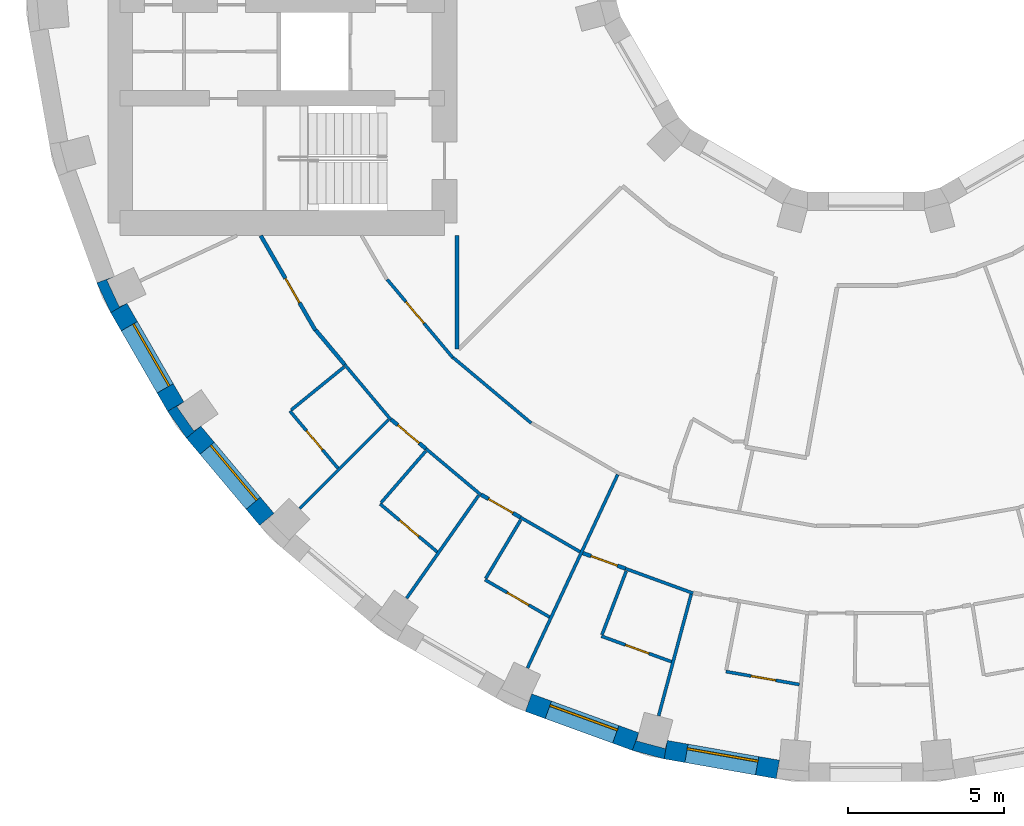
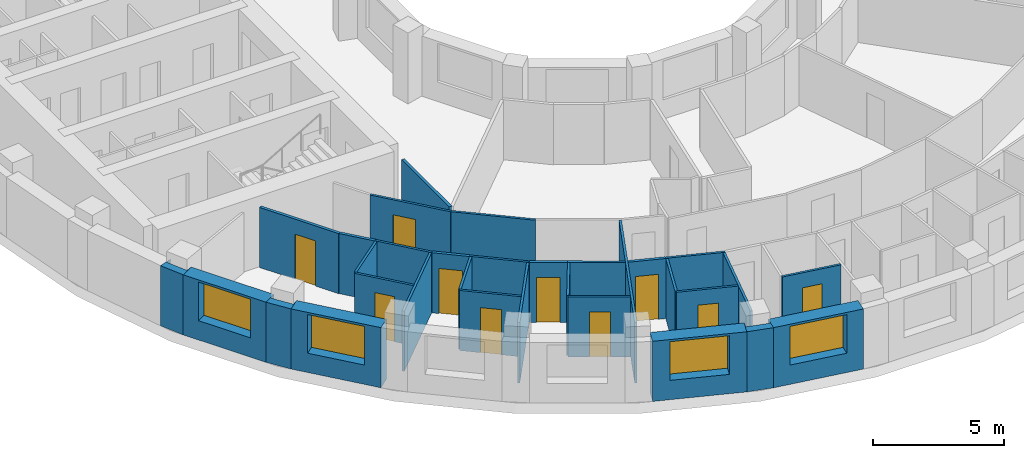
# One storey, part 4 of 14: 32 walls, 10 doors, 4 windows, 14 openings.
"""IFC4 building model written with IfcOpenShell, lengths in metres."""

from ifc_helpers import new_model, si_unit, direction, frame, frame_2d, origin, place, context, subcontext, project, spatial, polyline, rectangle, outline, extrude, material, layer, layer_set, type_object, element, fill, save


model = new_model("IFC4")

# Units and contexts
model_context = context("Model", 3, precision=1e-05, world=origin(), true_north=direction((0.0, 1.0)))
body_context = subcontext(model_context, "Body", "Model", "MODEL_VIEW")
ifc_project = project(units=[si_unit("LENGTHUNIT", "METRE"), si_unit("AREAUNIT", "SQUARE_METRE"), si_unit("VOLUMEUNIT", "CUBIC_METRE"), si_unit("PLANEANGLEUNIT", "RADIAN"), si_unit("MASSUNIT", "GRAM", prefix="KILO")], contexts=[model_context])

# Site, building, storey
site_placement = place(None, origin())
site = spatial("IfcSite", under=ifc_project, at=site_placement, CompositionType="ELEMENT")
building_placement = place(site_placement, origin())
building = spatial("IfcBuilding", under=site, at=building_placement, Name="Saqina Gate Tower", CompositionType="ELEMENT")
storey_placement = place(building_placement, frame((0.0, 0.0, 98.5)))
storey = spatial("IfcBuildingStorey", under=building, at=storey_placement, Name="L27", CompositionType="ELEMENT", Elevation=98.5)

# Walls
ifc_material_1 = material(Name="Brick masonry (buff)", Category="masonry")
wall_type_1 = type_object("IfcWallType", Name="BRICK PIER COPING BUFF", PredefinedType="SOLIDWALL", material=ifc_material_1)
wall_1_placement = place(storey_placement, origin())
element("IfcWall", 1, at=wall_1_placement, inside=storey, type_object=wall_type_1, Name="Pier cap L27 column 21", PredefinedType="SOLIDWALL", context=body_context, shape_type="SweptSolid", body=[
    extrude(outline(polyline([(-24.6513671875, -10.913330078125), (-24.205810546875, -11.869140625), (-23.68603515625, -11.569091796875), (-23.9296875, -11.6826171875), (-24.331298828125, -10.82177734375), (-24.08740234375, -10.7080078125), (-24.6513671875, -10.913330078125)])), origin(), (0.0, 0.0, 1.0), 2.800048828125),
])
wall_2_placement = place(storey_placement, origin())
element("IfcWall", 2, at=wall_2_placement, inside=storey, type_object=wall_type_1, Name="Pier cap L27 column 22", PredefinedType="SOLIDWALL", context=body_context, shape_type="SweptSolid", body=[
    extrude(outline(polyline([(-21.77685546875, -15.89208984375), (-21.317138671875, -15.50634765625), (-21.53759765625, -15.66064453125), (-22.08251953125, -14.88232421875), (-21.862060546875, -14.728271484375), (-22.3818359375, -15.0283203125), (-21.77685546875, -15.89208984375)])), origin(), (0.0, 0.0, 1.0), 2.800048828125),
])
wall_3_placement = place(storey_placement, origin())
element("IfcWall", 3, at=wall_3_placement, inside=storey, type_object=wall_type_1, Name="Pier cap L27 column 26", PredefinedType="SOLIDWALL", context=body_context, shape_type="SweptSolid", body=[
    extrude(outline(polyline([(-7.485595703125, -25.89892578125), (-6.466796875, -26.171875), (-6.36279296875, -25.5810546875), (-6.43212890625, -25.8408203125), (-7.349853515625, -25.5947265625), (-7.2802734375, -25.335205078125), (-7.485595703125, -25.89892578125)])), origin(), (0.0, 0.0, 1.0), 2.800048828125),
])

# Wall, opening, window
ifc_material_2 = material(Name="Brick masonry (buff)", Category="masonry")
ifc_layer_1 = layer(ifc_material_2, 0.60009765625)
ifc_layer_set_1 = layer_set([ifc_layer_1], Name="FW-BRICK-BUFF")
wall_type_2 = type_object("IfcWallType", Name="FW-BRICK-BUFF", PredefinedType="SOLIDWALL", material=ifc_layer_set_1)
wall_4_placement = place(storey_placement, frame((-23.94580078125, -11.718994140625, 0.0), z_axis=(0.0, 0.0, 1.0), x_axis=(0.499954196102, -0.866051847062, 0.0)))
wall_4 = element("IfcWall", 4, at=wall_4_placement, inside=storey, type_object=wall_type_2, Name="Facade wall L27 facet 21", PredefinedType="SOLIDWALL", context=body_context, shape_type="SweptSolid", body=[
    extrude(rectangle(XDim=3.647705078125, YDim=0.60009765625, at=frame_2d((1.82373046875, 0.0))), origin(), (0.0, 0.0, 1.0), 2.800048828125),
])
opening_1_placement = place(wall_4_placement, frame((0.673828125, 0.0, 0.89990234375)))
opening_1 = element("IfcOpeningElement", 5, at=opening_1_placement, cuts=wall_4, Name="Opening G07-W10", PredefinedType="OPENING", context=body_context, shape_type="SweptSolid", body=[
    extrude(rectangle(XDim=2.300048828125, YDim=1.800048828125, at=frame_2d((1.14990234375, 0.89990234375))), frame((0.0, 0.31201171875, 0.0), z_axis=(0.0, -1.0, 0.0), x_axis=(1.0, 0.0, 0.0)), (0.0, 0.0, 1.0), 0.6240234375),
])
ifc_material_3 = material(Name="Aluminium glazing", Category="aluminium")
window_type = type_object("IfcWindowType", Name="WN-B", PartitioningType="SINGLE_PANEL", PredefinedType="WINDOW", material=ifc_material_3)
window_1_placement = place(opening_1_placement, origin())
window_1 = element("IfcWindow", 6, at=window_1_placement, inside=storey, type_object=window_type, Name="Window L27 facet 21", OverallHeight=1.800048828125, OverallWidth=2.300048828125, PartitioningType="SINGLE_PANEL", PredefinedType="WINDOW", context=body_context, shape_type="SweptSolid", body=[
    extrude(rectangle(XDim=2.300048828125, YDim=1.800048828125, at=frame_2d((1.14990234375, 0.89990234375))), frame((0.0, 0.179931640625, 0.0), z_axis=(0.0, -1.0, 0.0), x_axis=(1.0, 0.0, 0.0)), (0.0, 0.0, 1.0), 0.06005859375),
])
fill(opening_1, window_1)

wall_5_placement = place(storey_placement, frame((-21.547119140625, -15.69921875, 0.0), z_axis=(0.0, 0.0, 1.0), x_axis=(0.642774476932, -0.766055462616, 0.0)))
wall_5 = element("IfcWall", 7, at=wall_5_placement, inside=storey, type_object=wall_type_2, Name="Facade wall L27 facet 22", PredefinedType="SOLIDWALL", context=body_context, shape_type="SweptSolid", body=[
    extrude(rectangle(XDim=3.647705078125, YDim=0.60009765625, at=frame_2d((1.82373046875, 0.0))), origin(), (0.0, 0.0, 1.0), 2.800048828125),
])
opening_2_placement = place(wall_5_placement, frame((0.673828125, 0.0, 0.89990234375)))
opening_2 = element("IfcOpeningElement", 8, at=opening_2_placement, cuts=wall_5, Name="Opening G07-W11", PredefinedType="OPENING", context=body_context, shape_type="SweptSolid", body=[
    extrude(rectangle(XDim=2.300048828125, YDim=1.800048828125, at=frame_2d((1.14990234375, 0.89990234375))), frame((0.0, 0.31201171875, 0.0), z_axis=(0.0, -1.0, 0.0), x_axis=(1.0, 0.0, 0.0)), (0.0, 0.0, 1.0), 0.6240234375),
])
window_2_placement = place(opening_2_placement, origin())
window_2 = element("IfcWindow", 9, at=window_2_placement, inside=storey, type_object=window_type, Name="Window L27 facet 22", OverallHeight=1.800048828125, OverallWidth=2.300048828125, PartitioningType="SINGLE_PANEL", PredefinedType="WINDOW", context=body_context, shape_type="SweptSolid", body=[
    extrude(rectangle(XDim=2.300048828125, YDim=1.800048828125, at=frame_2d((1.14990234375, 0.89990234375))), frame((0.0, 0.179931640625, 0.0), z_axis=(0.0, -1.0, 0.0), x_axis=(1.0, 0.0, 0.0)), (0.0, 0.0, 1.0), 0.06005859375),
])
fill(opening_2, window_2)

wall_6_placement = place(storey_placement, frame((-10.810791015625, -24.369384765625, 0.0), z_axis=(0.0, 0.0, 1.0), x_axis=(0.939703505393, -0.341990236633, 0.0)))
wall_6 = element("IfcWall", 10, at=wall_6_placement, inside=storey, type_object=wall_type_2, Name="Facade wall L27 facet 25", PredefinedType="SOLIDWALL", context=body_context, shape_type="SweptSolid", body=[
    extrude(rectangle(XDim=3.64794921875, YDim=0.60009765625, at=frame_2d((1.823974609375, 0.0))), origin(), (0.0, 0.0, 1.0), 2.800048828125),
])
opening_3_placement = place(wall_6_placement, frame((0.673828125, 0.0, 0.89990234375)))
opening_3 = element("IfcOpeningElement", 11, at=opening_3_placement, cuts=wall_6, Name="Opening G07-W14", PredefinedType="OPENING", context=body_context, shape_type="SweptSolid", body=[
    extrude(rectangle(XDim=2.300048828125, YDim=1.800048828125, at=frame_2d((1.14990234375, 0.89990234375))), frame((0.0, 0.31201171875, 0.0), z_axis=(0.0, -1.0, 0.0), x_axis=(1.0, 0.0, 0.0)), (0.0, 0.0, 1.0), 0.6240234375),
])
window_3_placement = place(opening_3_placement, origin())
window_3 = element("IfcWindow", 12, at=window_3_placement, inside=storey, type_object=window_type, Name="Window L27 facet 25", OverallHeight=1.800048828125, OverallWidth=2.300048828125, PartitioningType="SINGLE_PANEL", PredefinedType="WINDOW", context=body_context, shape_type="SweptSolid", body=[
    extrude(rectangle(XDim=2.300048828125, YDim=1.800048828125, at=frame_2d((1.14990234375, 0.89990234375))), frame((0.0, 0.179931640625, 0.0), z_axis=(0.0, -1.0, 0.0), x_axis=(1.0, 0.0, 0.0)), (0.0, 0.0, 1.0), 0.06005859375),
])
fill(opening_3, window_3)

wall_7_placement = place(storey_placement, frame((-6.414794921875, -25.87646484375, 0.0), z_axis=(0.0, 0.0, 1.0), x_axis=(0.984803764455, -0.173670796382, 0.0)))
wall_7 = element("IfcWall", 13, at=wall_7_placement, inside=storey, type_object=wall_type_2, Name="Facade wall L27 facet 26", PredefinedType="SOLIDWALL", context=body_context, shape_type="SweptSolid", body=[
    extrude(rectangle(XDim=3.64794921875, YDim=0.60009765625, at=frame_2d((1.823974609375, 0.0))), origin(), (0.0, 0.0, 1.0), 2.800048828125),
])
opening_4_placement = place(wall_7_placement, frame((0.673828125, 0.0, 0.89990234375)))
opening_4 = element("IfcOpeningElement", 14, at=opening_4_placement, cuts=wall_7, Name="Opening G07-W15", PredefinedType="OPENING", context=body_context, shape_type="SweptSolid", body=[
    extrude(rectangle(XDim=2.300048828125, YDim=1.800048828125, at=frame_2d((1.14990234375, 0.89990234375))), frame((0.0, 0.31201171875, 0.0), z_axis=(0.0, -1.0, 0.0), x_axis=(1.0, 0.0, 0.0)), (0.0, 0.0, 1.0), 0.6240234375),
])
window_4_placement = place(opening_4_placement, origin())
window_4 = element("IfcWindow", 15, at=window_4_placement, inside=storey, type_object=window_type, Name="Window L27 facet 26", OverallHeight=1.800048828125, OverallWidth=2.300048828125, PartitioningType="SINGLE_PANEL", PredefinedType="WINDOW", context=body_context, shape_type="SweptSolid", body=[
    extrude(rectangle(XDim=2.300048828125, YDim=1.800048828125, at=frame_2d((1.14990234375, 0.89990234375))), frame((0.0, 0.179931640625, 0.0), z_axis=(0.0, -1.0, 0.0), x_axis=(1.0, 0.0, 0.0)), (0.0, 0.0, 1.0), 0.06005859375),
])
fill(opening_4, window_4)

# Wall, opening, door
ifc_material_4 = material(Name="Gypsum board on steel studs, 100 mm", Category="steel")
ifc_layer_2 = layer(ifc_material_4, 0.10009765625)
ifc_layer_set_2 = layer_set([ifc_layer_2], Name="PARTITION 100")
wall_type_3 = type_object("IfcWallType", Name="PARTITION 100", PredefinedType="PARTITIONING", material=ifc_layer_set_2)
wall_8_placement = place(storey_placement, frame((-18.4599609375, -15.02197265625, 0.0), z_axis=(0.0, 0.0, 1.0), x_axis=(0.642942941421, -0.765914077477, 0.0)))
wall_8 = element("IfcWall", 16, at=wall_8_placement, inside=storey, type_object=wall_type_3, Name="PARTITION PW3-16", PredefinedType="PARTITIONING", context=body_context, shape_type="SweptSolid", body=[
    extrude(rectangle(XDim=2.390380859375, YDim=0.10009765625, at=frame_2d((1.1953125, 0.0))), origin(), (0.0, 0.0, 1.0), 2.800048828125),
])
opening_5_placement = place(wall_8_placement, frame((0.82080078125, 0.0, 0.0)))
opening_5 = element("IfcOpeningElement", 17, at=opening_5_placement, cuts=wall_8, Name="Opening G07-D26", PredefinedType="OPENING", context=body_context, shape_type="SweptSolid", body=[
    extrude(rectangle(XDim=0.800048828125, YDim=2.10009765625, at=frame_2d((0.39990234375, 1.050048828125))), frame((0.0, 0.06201171875, 0.0), z_axis=(0.0, -1.0, 0.0), x_axis=(1.0, 0.0, 0.0)), (0.0, 0.0, 1.0), 0.1240234375),
])
ifc_material_5 = material(Name="Timber door leaf, 800 mm", Category="wood")
door_type_1 = type_object("IfcDoorType", Name="DOOR 800 TIMBER", OperationType="SINGLE_SWING_LEFT", PredefinedType="DOOR", material=ifc_material_5)
door_1_placement = place(opening_5_placement, frame((0.800048828125, 0.0, 0.0), z_axis=(0.0, 0.0, 1.0), x_axis=(-1.0, 0.0, 0.0)))
door_1 = element("IfcDoor", 18, at=door_1_placement, inside=storey, type_object=door_type_1, Name="DOOR G07-D26", OperationType="SINGLE_SWING_LEFT", OverallHeight=2.10009765625, OverallWidth=0.800048828125, PredefinedType="DOOR", context=body_context, shape_type="SweptSolid", body=[
    extrude(rectangle(XDim=0.800048828125, YDim=2.10009765625, at=frame_2d((0.39990234375, 1.050048828125))), frame((0.0, 0.02490234375, 0.0), z_axis=(0.0, -1.0, 0.0), x_axis=(1.0, 0.0, 0.0)), (0.0, 0.0, 1.0), 0.050048828125),
])
fill(opening_5, door_1)

# Wall
wall_9_placement = place(storey_placement, frame((-16.708251953125, -13.53173828125, 0.0), z_axis=(0.0, 0.0, 1.0), x_axis=(0.642762571273, -0.766065452145, 0.0)))
element("IfcWall", 19, at=wall_9_placement, inside=storey, type_object=wall_type_3, Name="PARTITION PW3-17", PredefinedType="PARTITIONING", context=body_context, shape_type="SweptSolid", body=[
    extrude(rectangle(XDim=2.306640625, YDim=0.10009765625, at=frame_2d((1.1533203125, 0.0))), origin(), (0.0, 0.0, 1.0), 2.800048828125),
])

# Wall, opening, door
wall_10_placement = place(storey_placement, frame((-15.34375, -10.80419921875, 0.0), z_axis=(0.0, 0.0, 1.0), x_axis=(0.642602374159, -0.766199836025, 0.0)))
wall_10 = element("IfcWall", 20, at=wall_10_placement, inside=storey, type_object=wall_type_3, Name="PARTITION PW3-18", PredefinedType="PARTITIONING", context=body_context, shape_type="SweptSolid", body=[
    extrude(rectangle(XDim=3.27294921875, YDim=0.10009765625, at=frame_2d((1.636474609375, 0.0))), origin(), (0.0, 0.0, 1.0), 2.800048828125),
])
opening_6_placement = place(wall_10_placement, frame((0.93603515625, 0.0, 0.0)))
opening_6 = element("IfcOpeningElement", 21, at=opening_6_placement, cuts=wall_10, Name="Opening G07-D25", PredefinedType="OPENING", context=body_context, shape_type="SweptSolid", body=[
    extrude(rectangle(XDim=0.89990234375, YDim=2.10009765625, at=frame_2d((0.449951171875, 1.050048828125))), frame((0.0, 0.06201171875, 0.0), z_axis=(0.0, -1.0, 0.0), x_axis=(1.0, 0.0, 0.0)), (0.0, 0.0, 1.0), 0.1240234375),
])
ifc_material_6 = material(Name="Timber door leaf, 900 mm", Category="wood")
door_type_2 = type_object("IfcDoorType", Name="DOOR 900 TIMBER", OperationType="SINGLE_SWING_LEFT", PredefinedType="DOOR", material=ifc_material_6)
door_2_placement = place(opening_6_placement, origin())
door_2 = element("IfcDoor", 22, at=door_2_placement, inside=storey, type_object=door_type_2, Name="DOOR G07-D25", OperationType="SINGLE_SWING_RIGHT", OverallHeight=2.10009765625, OverallWidth=0.89990234375, PredefinedType="DOOR", context=body_context, shape_type="SweptSolid", body=[
    extrude(rectangle(XDim=0.89990234375, YDim=2.10009765625, at=frame_2d((0.449951171875, 1.050048828125))), frame((0.0, 0.02490234375, 0.0), z_axis=(0.0, -1.0, 0.0), x_axis=(1.0, 0.0, 0.0)), (0.0, 0.0, 1.0), 0.050048828125),
])
fill(opening_6, door_2)

wall_11_placement = place(storey_placement, frame((-15.571044921875, -17.9990234375, 0.0), z_axis=(0.0, 0.0, 1.0), x_axis=(0.765914077477, -0.642942941421, 0.0)))
wall_11 = element("IfcWall", 23, at=wall_11_placement, inside=storey, type_object=wall_type_3, Name="PARTITION PW3-23", PredefinedType="PARTITIONING", context=body_context, shape_type="SweptSolid", body=[
    extrude(rectangle(XDim=2.390380859375, YDim=0.10009765625, at=frame_2d((1.1953125, 0.0))), origin(), (0.0, 0.0, 1.0), 2.800048828125),
])
opening_7_placement = place(wall_11_placement, frame((0.820068359375, 0.0, 0.0)))
opening_7 = element("IfcOpeningElement", 24, at=opening_7_placement, cuts=wall_11, Name="Opening G07-D28", PredefinedType="OPENING", context=body_context, shape_type="SweptSolid", body=[
    extrude(rectangle(XDim=0.800048828125, YDim=2.10009765625, at=frame_2d((0.39990234375, 1.050048828125))), frame((0.0, 0.06201171875, 0.0), z_axis=(0.0, -1.0, 0.0), x_axis=(1.0, 0.0, 0.0)), (0.0, 0.0, 1.0), 0.1240234375),
])
door_3_placement = place(opening_7_placement, frame((0.800048828125, 0.0, 0.0), z_axis=(0.0, 0.0, 1.0), x_axis=(-1.0, 0.0, 0.0)))
door_3 = element("IfcDoor", 25, at=door_3_placement, inside=storey, type_object=door_type_1, Name="DOOR G07-D28", OperationType="SINGLE_SWING_LEFT", OverallHeight=2.10009765625, OverallWidth=0.800048828125, PredefinedType="DOOR", context=body_context, shape_type="SweptSolid", body=[
    extrude(rectangle(XDim=0.800048828125, YDim=2.10009765625, at=frame_2d((0.39990234375, 1.050048828125))), frame((0.0, 0.02490234375, 0.0), z_axis=(0.0, -1.0, 0.0), x_axis=(1.0, 0.0, 0.0)), (0.0, 0.0, 1.0), 0.050048828125),
])
fill(opening_7, door_3)

# Walls
wall_12_placement = place(storey_placement, frame((-14.104248046875, -16.227783203125, 0.0), z_axis=(0.0, 0.0, 1.0), x_axis=(0.76604687987, -0.642784705669, 0.0)))
element("IfcWall", 26, at=wall_12_placement, inside=storey, type_object=wall_type_3, Name="PARTITION PW3-24", PredefinedType="PARTITIONING", context=body_context, shape_type="SweptSolid", body=[
    extrude(rectangle(XDim=2.305419921875, YDim=0.10009765625, at=frame_2d((1.15283203125, 0.0))), origin(), (0.0, 0.0, 1.0), 2.800048828125),
])
wall_13_placement = place(storey_placement, frame((-13.234619140625, -13.30517578125, 0.0), z_axis=(0.0, 0.0, 1.0), x_axis=(0.766132303871, -0.642682886784, 0.0)))
element("IfcWall", 27, at=wall_13_placement, inside=storey, type_object=wall_type_3, Name="PARTITION PW3-25", PredefinedType="PARTITIONING", context=body_context, shape_type="SweptSolid", body=[
    extrude(rectangle(XDim=3.27294921875, YDim=0.10009765625, at=frame_2d((1.636474609375, 0.0))), origin(), (0.0, 0.0, 1.0), 2.800048828125),
])

# Wall, opening, door
wall_14_placement = place(storey_placement, frame((-12.208984375, -20.429931640625, 0.0), z_axis=(0.0, 0.0, 1.0), x_axis=(0.865989934965, -0.500061428766, 0.0)))
wall_14 = element("IfcWall", 28, at=wall_14_placement, inside=storey, type_object=wall_type_3, Name="PARTITION PW3-30", PredefinedType="PARTITIONING", context=body_context, shape_type="SweptSolid", body=[
    extrude(rectangle(XDim=2.389892578125, YDim=0.10009765625, at=frame_2d((1.19482421875, 0.0))), origin(), (0.0, 0.0, 1.0), 2.800048828125),
])
opening_8_placement = place(wall_14_placement, frame((0.820068359375, 0.0, 0.0)))
opening_8 = element("IfcOpeningElement", 29, at=opening_8_placement, cuts=wall_14, Name="Opening G07-D30", PredefinedType="OPENING", context=body_context, shape_type="SweptSolid", body=[
    extrude(rectangle(XDim=0.800048828125, YDim=2.10009765625, at=frame_2d((0.39990234375, 1.050048828125))), frame((0.0, 0.06201171875, 0.0), z_axis=(0.0, -1.0, 0.0), x_axis=(1.0, 0.0, 0.0)), (0.0, 0.0, 1.0), 0.1240234375),
])
door_4_placement = place(opening_8_placement, frame((0.800048828125, 0.0, 0.0), z_axis=(0.0, 0.0, 1.0), x_axis=(-1.0, 0.0, 0.0)))
door_4 = element("IfcDoor", 30, at=door_4_placement, inside=storey, type_object=door_type_1, Name="DOOR G07-D30", OperationType="SINGLE_SWING_LEFT", OverallHeight=2.10009765625, OverallWidth=0.800048828125, PredefinedType="DOOR", context=body_context, shape_type="SweptSolid", body=[
    extrude(rectangle(XDim=0.800048828125, YDim=2.10009765625, at=frame_2d((0.39990234375, 1.050048828125))), frame((0.0, 0.02490234375, 0.0), z_axis=(0.0, -1.0, 0.0), x_axis=(1.0, 0.0, 0.0)), (0.0, 0.0, 1.0), 0.050048828125),
])
fill(opening_8, door_4)

# Wall
wall_15_placement = place(storey_placement, frame((-11.072265625, -18.429931640625, 0.0), z_axis=(0.0, 0.0, 1.0), x_axis=(0.865848017448, -0.500307116361, 0.0)))
element("IfcWall", 31, at=wall_15_placement, inside=storey, type_object=wall_type_3, Name="PARTITION PW3-31", PredefinedType="PARTITIONING", context=body_context, shape_type="SweptSolid", body=[
    extrude(rectangle(XDim=2.20458984375, YDim=0.10009765625, at=frame_2d((1.102294921875, 0.0))), origin(), (0.0, 0.0, 1.0), 2.800048828125),
])

# Wall, opening, door
wall_16_placement = place(storey_placement, frame((-8.47607421875, -22.239013671875, 0.0), z_axis=(0.0, 0.0, 1.0), x_axis=(0.939644231496, -0.342153062556, 0.0)))
wall_16 = element("IfcWall", 32, at=wall_16_placement, inside=storey, type_object=wall_type_3, Name="PARTITION PW3-36", PredefinedType="PARTITIONING", context=body_context, shape_type="SweptSolid", body=[
    extrude(rectangle(XDim=2.390380859375, YDim=0.10009765625, at=frame_2d((1.1953125, 0.0))), origin(), (0.0, 0.0, 1.0), 2.800048828125),
])
opening_9_placement = place(wall_16_placement, frame((0.8203125, 0.0, 0.0)))
opening_9 = element("IfcOpeningElement", 33, at=opening_9_placement, cuts=wall_16, Name="Opening G07-D33", PredefinedType="OPENING", context=body_context, shape_type="SweptSolid", body=[
    extrude(rectangle(XDim=0.800048828125, YDim=2.10009765625, at=frame_2d((0.39990234375, 1.050048828125))), frame((0.0, 0.06201171875, 0.0), z_axis=(0.0, -1.0, 0.0), x_axis=(1.0, 0.0, 0.0)), (0.0, 0.0, 1.0), 0.1240234375),
])
door_5_placement = place(opening_9_placement, frame((0.800048828125, 0.0, 0.0), z_axis=(0.0, 0.0, 1.0), x_axis=(-1.0, 0.0, 0.0)))
door_5 = element("IfcDoor", 34, at=door_5_placement, inside=storey, type_object=door_type_1, Name="DOOR G07-D33", OperationType="SINGLE_SWING_LEFT", OverallHeight=2.10009765625, OverallWidth=0.800048828125, PredefinedType="DOOR", context=body_context, shape_type="SweptSolid", body=[
    extrude(rectangle(XDim=0.800048828125, YDim=2.10009765625, at=frame_2d((0.39990234375, 1.050048828125))), frame((0.0, 0.02490234375, 0.0), z_axis=(0.0, -1.0, 0.0), x_axis=(1.0, 0.0, 0.0)), (0.0, 0.0, 1.0), 0.050048828125),
])
fill(opening_9, door_5)

# Wall
wall_17_placement = place(storey_placement, frame((-7.7041015625, -20.073486328125, 0.0), z_axis=(0.0, 0.0, 1.0), x_axis=(0.939734670151, -0.34190459154, 0.0)))
element("IfcWall", 35, at=wall_17_placement, inside=storey, type_object=wall_type_3, Name="PARTITION PW3-37", PredefinedType="PARTITIONING", context=body_context, shape_type="SweptSolid", body=[
    extrude(rectangle(XDim=2.3056640625, YDim=0.10009765625, at=frame_2d((1.15283203125, 0.0))), origin(), (0.0, 0.0, 1.0), 2.800048828125),
])

# Wall, opening, door
wall_18_placement = place(storey_placement, frame((-4.486083984375, -23.373046875, 0.0), z_axis=(0.0, 0.0, 1.0), x_axis=(0.984798975022, -0.17369795277, 0.0)))
wall_18 = element("IfcWall", 36, at=wall_18_placement, inside=storey, type_object=wall_type_3, Name="PARTITION PW3-44", PredefinedType="PARTITIONING", context=body_context, shape_type="SweptSolid", body=[
    extrude(rectangle(XDim=2.390869140625, YDim=0.10009765625, at=frame_2d((1.1953125, 0.0))), origin(), (0.0, 0.0, 1.0), 2.800048828125),
])
opening_10_placement = place(wall_18_placement, frame((0.820556640625, 0.0, 0.0)))
opening_10 = element("IfcOpeningElement", 37, at=opening_10_placement, cuts=wall_18, Name="Opening G07-D37", PredefinedType="OPENING", context=body_context, shape_type="SweptSolid", body=[
    extrude(rectangle(XDim=0.800048828125, YDim=2.10009765625, at=frame_2d((0.39990234375, 1.050048828125))), frame((0.0, 0.06201171875, 0.0), z_axis=(0.0, -1.0, 0.0), x_axis=(1.0, 0.0, 0.0)), (0.0, 0.0, 1.0), 0.1240234375),
])
door_6_placement = place(opening_10_placement, frame((0.800048828125, 0.0, 0.0), z_axis=(0.0, 0.0, 1.0), x_axis=(-1.0, 0.0, 0.0)))
door_6 = element("IfcDoor", 38, at=door_6_placement, inside=storey, type_object=door_type_1, Name="DOOR G07-D37", OperationType="SINGLE_SWING_LEFT", OverallHeight=2.10009765625, OverallWidth=0.800048828125, PredefinedType="DOOR", context=body_context, shape_type="SweptSolid", body=[
    extrude(rectangle(XDim=0.800048828125, YDim=2.10009765625, at=frame_2d((0.39990234375, 1.050048828125))), frame((0.0, 0.02490234375, 0.0), z_axis=(0.0, -1.0, 0.0), x_axis=(1.0, 0.0, 0.0)), (0.0, 0.0, 1.0), 0.050048828125),
])
fill(opening_10, door_6)

# Walls
wall_19_placement = place(storey_placement, frame((-18.419189453125, -14.98876953125, 0.0), z_axis=(0.0, 0.0, 1.0), x_axis=(0.775583643893, 0.63124481093, 0.0)))
element("IfcWall", 39, at=wall_19_placement, inside=storey, type_object=wall_type_3, Name="PARTITION PW3-76", PredefinedType="PARTITIONING", context=body_context, shape_type="SweptSolid", body=[
    extrude(rectangle(XDim=2.18359375, YDim=0.10009765625, at=frame_2d((1.091796875, 0.0))), origin(), (0.0, 0.0, 1.0), 2.800048828125),
])
wall_20_placement = place(storey_placement, frame((-18.14794921875, -18.14794921875, 0.0), z_axis=(0.0, 0.0, 1.0), x_axis=(0.707106781187, 0.707106781187, 0.0)))
element("IfcWall", 40, at=wall_20_placement, inside=storey, type_object=wall_type_3, Name="PARTITION PW3-79", PredefinedType="PARTITIONING", context=body_context, shape_type="SweptSolid", body=[
    extrude(rectangle(XDim=4.02294921875, YDim=0.10009765625, at=frame_2d((2.011474609375, 0.0))), origin(), (0.0, 0.0, 1.0), 2.800048828125),
])
wall_21_placement = place(storey_placement, frame((-15.538330078125, -17.961181640625, 0.0), z_axis=(0.0, 0.0, 1.0), x_axis=(0.654433202149, 0.756119821143, 0.0)))
element("IfcWall", 41, at=wall_21_placement, inside=storey, type_object=wall_type_3, Name="PARTITION PW3-81", PredefinedType="PARTITIONING", context=body_context, shape_type="SweptSolid", body=[
    extrude(rectangle(XDim=2.187255859375, YDim=0.10009765625, at=frame_2d((1.09375, 0.0))), origin(), (0.0, 0.0, 1.0), 2.800048828125),
])
wall_22_placement = place(storey_placement, frame((-14.721435546875, -21.02294921875, 0.0), z_axis=(0.0, 0.0, 1.0), x_axis=(0.573849206175, 0.818960981105, 0.0)))
element("IfcWall", 42, at=wall_22_placement, inside=storey, type_object=wall_type_3, Name="PARTITION PW3-85", PredefinedType="PARTITIONING", context=body_context, shape_type="SweptSolid", body=[
    extrude(rectangle(XDim=4.02294921875, YDim=0.10009765625, at=frame_2d((2.011474609375, 0.0))), origin(), (0.0, 0.0, 1.0), 2.800048828125),
])
wall_23_placement = place(storey_placement, frame((-12.183349609375, -20.386962890625, 0.0), z_axis=(0.0, 0.0, 1.0), x_axis=(0.512903306279, 0.85844638645, 0.0)))
element("IfcWall", 43, at=wall_23_placement, inside=storey, type_object=wall_type_3, Name="PARTITION PW3-87", PredefinedType="PARTITIONING", context=body_context, shape_type="SweptSolid", body=[
    extrude(rectangle(XDim=2.188232421875, YDim=0.10009765625, at=frame_2d((1.09423828125, 0.0))), origin(), (0.0, 0.0, 1.0), 2.800048828125),
])
wall_24_placement = place(storey_placement, frame((-10.84765625, -23.260009765625, 0.0), z_axis=(0.0, 0.0, 1.0), x_axis=(0.422908898334, 0.906172204225, 0.0)))
element("IfcWall", 44, at=wall_24_placement, inside=storey, type_object=wall_type_3, Name="PARTITION PW3-90", PredefinedType="PARTITIONING", context=body_context, shape_type="SweptSolid", body=[
    extrude(rectangle(XDim=6.84423828125, YDim=0.10009765625, at=frame_2d((3.422119140625, 0.0))), origin(), (0.0, 0.0, 1.0), 2.800048828125),
])
wall_25_placement = place(storey_placement, frame((-8.458251953125, -22.1923828125, 0.0), z_axis=(0.0, 0.0, 1.0), x_axis=(0.356134598474, 0.93443466747, 0.0)))
element("IfcWall", 45, at=wall_25_placement, inside=storey, type_object=wall_type_3, Name="PARTITION PW3-92", PredefinedType="PARTITIONING", context=body_context, shape_type="SweptSolid", body=[
    extrude(rectangle(XDim=2.186767578125, YDim=0.10009765625, at=frame_2d((1.09326171875, 0.0))), origin(), (0.0, 0.0, 1.0), 2.800048828125),
])
wall_26_placement = place(storey_placement, frame((-6.64208984375, -24.79052734375, 0.0), z_axis=(0.0, 0.0, 1.0), x_axis=(0.258615129659, 0.965980442199, 0.0)))
element("IfcWall", 46, at=wall_26_placement, inside=storey, type_object=wall_type_3, Name="PARTITION PW3-95", PredefinedType="PARTITIONING", context=body_context, shape_type="SweptSolid", body=[
    extrude(rectangle(XDim=4.03564453125, YDim=0.10009765625, at=frame_2d((2.017822265625, 0.0))), origin(), (0.0, 0.0, 1.0), 2.800048828125),
])

# Wall, opening, door
ifc_material_7 = material(Name="Gypsum board on steel studs, 125 mm, fire rated", Category="steel")
ifc_layer_3 = layer(ifc_material_7, 0.125)
ifc_layer_set_3 = layer_set([ifc_layer_3], Name="PARTITION EI 30 125")
wall_type_4 = type_object("IfcWallType", Name="PARTITION EI 30 125", PredefinedType="PARTITIONING", material=ifc_layer_set_3)
wall_27_placement = place(storey_placement, frame((-19.394775390625, -9.40185546875, 0.0), z_axis=(0.0, 0.0, 1.0), x_axis=(0.499726480438, -0.866183262797, 0.0)))
wall_27 = element("IfcWall", 47, at=wall_27_placement, inside=storey, type_object=wall_type_4, Name="PARTITION PW1-02", PredefinedType="PARTITIONING", context=body_context, shape_type="SweptSolid", body=[
    extrude(rectangle(XDim=3.4990234375, YDim=0.125, at=frame_2d((1.74951171875, 0.0))), origin(), (0.0, 0.0, 1.0), 2.800048828125),
])
opening_11_placement = place(wall_27_placement, frame((1.58056640625, 0.0, 0.0)))
opening_11 = element("IfcOpeningElement", 48, at=opening_11_placement, cuts=wall_27, Name="Opening G07-D24", PredefinedType="OPENING", context=body_context, shape_type="SweptSolid", body=[
    extrude(rectangle(XDim=0.89990234375, YDim=2.10009765625, at=frame_2d((0.449951171875, 1.050048828125))), frame((0.0, 0.074462890625, 0.0), z_axis=(0.0, -1.0, 0.0), x_axis=(1.0, 0.0, 0.0)), (0.0, 0.0, 1.0), 0.14892578125),
])
ifc_material_8 = material(Name="Fire door leaf EI 30, 900 mm")
door_type_3 = type_object("IfcDoorType", Name="DOOR 900 EI 30", OperationType="SINGLE_SWING_LEFT", PredefinedType="DOOR", material=ifc_material_8)
door_7_placement = place(opening_11_placement, origin())
door_7 = element("IfcDoor", 49, at=door_7_placement, inside=storey, type_object=door_type_3, Name="DOOR G07-D24", OperationType="SINGLE_SWING_RIGHT", OverallHeight=2.10009765625, OverallWidth=0.89990234375, PredefinedType="DOOR", context=body_context, shape_type="SweptSolid", body=[
    extrude(rectangle(XDim=0.89990234375, YDim=2.10009765625, at=frame_2d((0.449951171875, 1.050048828125))), frame((0.0, 0.02490234375, 0.0), z_axis=(0.0, -1.0, 0.0), x_axis=(1.0, 0.0, 0.0)), (0.0, 0.0, 1.0), 0.050048828125),
])
fill(opening_11, door_7)

# Wall
wall_28_placement = place(storey_placement, frame((-17.63671875, -12.4248046875, 0.0), z_axis=(0.0, 0.0, 1.0), x_axis=(0.642641061866, -0.766167387458, 0.0)))
element("IfcWall", 50, at=wall_28_placement, inside=storey, type_object=wall_type_4, Name="PARTITION PW1-07", PredefinedType="PARTITIONING", context=body_context, shape_type="SweptSolid", body=[
    extrude(rectangle(XDim=1.44482421875, YDim=0.125, at=frame_2d((0.722412109375, 0.0))), origin(), (0.0, 0.0, 1.0), 2.800048828125),
])

# Wall, opening, door
wall_29_placement = place(storey_placement, frame((-15.2197265625, -15.2919921875, 0.0), z_axis=(0.0, 0.0, 1.0), x_axis=(0.766114305984, -0.642704341177, 0.0)))
wall_29 = element("IfcWall", 51, at=wall_29_placement, inside=storey, type_object=wall_type_4, Name="PARTITION PW1-11", PredefinedType="PARTITIONING", context=body_context, shape_type="SweptSolid", body=[
    extrude(rectangle(XDim=1.4560546875, YDim=0.125, at=frame_2d((0.72802734375, 0.0))), origin(), (0.0, 0.0, 1.0), 2.800048828125),
])
opening_12_placement = place(wall_29_placement, frame((0.278076171875, 0.0, 0.0)))
opening_12 = element("IfcOpeningElement", 52, at=opening_12_placement, cuts=wall_29, Name="Opening G07-D27", PredefinedType="OPENING", context=body_context, shape_type="SweptSolid", body=[
    extrude(rectangle(XDim=0.89990234375, YDim=2.10009765625, at=frame_2d((0.449951171875, 1.050048828125))), frame((0.0, 0.074462890625, 0.0), z_axis=(0.0, -1.0, 0.0), x_axis=(1.0, 0.0, 0.0)), (0.0, 0.0, 1.0), 0.14892578125),
])
door_8_placement = place(opening_12_placement, origin())
door_8 = element("IfcDoor", 53, at=door_8_placement, inside=storey, type_object=door_type_3, Name="DOOR G07-D27", OperationType="SINGLE_SWING_LEFT", OverallHeight=2.10009765625, OverallWidth=0.89990234375, PredefinedType="DOOR", context=body_context, shape_type="SweptSolid", body=[
    extrude(rectangle(XDim=0.89990234375, YDim=2.10009765625, at=frame_2d((0.449951171875, 1.050048828125))), frame((0.0, 0.02490234375, 0.0), z_axis=(0.0, -1.0, 0.0), x_axis=(1.0, 0.0, 0.0)), (0.0, 0.0, 1.0), 0.050048828125),
])
fill(opening_12, door_8)

wall_30_placement = place(storey_placement, frame((-12.333740234375, -17.701904296875, 0.0), z_axis=(0.0, 0.0, 1.0), x_axis=(0.866110229381, -0.499853048967, 0.0)))
wall_30 = element("IfcWall", 54, at=wall_30_placement, inside=storey, type_object=wall_type_4, Name="PARTITION PW1-15", PredefinedType="PARTITIONING", context=body_context, shape_type="SweptSolid", body=[
    extrude(rectangle(XDim=1.45654296875, YDim=0.125, at=frame_2d((0.728271484375, 0.0))), origin(), (0.0, 0.0, 1.0), 2.800048828125),
])
opening_13_placement = place(wall_30_placement, frame((0.2783203125, 0.0, 0.0)))
opening_13 = element("IfcOpeningElement", 55, at=opening_13_placement, cuts=wall_30, Name="Opening G07-D29", PredefinedType="OPENING", context=body_context, shape_type="SweptSolid", body=[
    extrude(rectangle(XDim=0.89990234375, YDim=2.10009765625, at=frame_2d((0.449951171875, 1.050048828125))), frame((0.0, 0.074462890625, 0.0), z_axis=(0.0, -1.0, 0.0), x_axis=(1.0, 0.0, 0.0)), (0.0, 0.0, 1.0), 0.14892578125),
])
door_9_placement = place(opening_13_placement, origin())
door_9 = element("IfcDoor", 56, at=door_9_placement, inside=storey, type_object=door_type_3, Name="DOOR G07-D29", OperationType="SINGLE_SWING_LEFT", OverallHeight=2.10009765625, OverallWidth=0.89990234375, PredefinedType="DOOR", context=body_context, shape_type="SweptSolid", body=[
    extrude(rectangle(XDim=0.89990234375, YDim=2.10009765625, at=frame_2d((0.449951171875, 1.050048828125))), frame((0.0, 0.02490234375, 0.0), z_axis=(0.0, -1.0, 0.0), x_axis=(1.0, 0.0, 0.0)), (0.0, 0.0, 1.0), 0.050048828125),
])
fill(opening_13, door_9)

wall_31_placement = place(storey_placement, frame((-9.072998046875, -19.5751953125, 0.0), z_axis=(0.0, 0.0, 1.0), x_axis=(0.939788529673, -0.341756520778, 0.0)))
wall_31 = element("IfcWall", 57, at=wall_31_placement, inside=storey, type_object=wall_type_4, Name="PARTITION PW1-19", PredefinedType="PARTITIONING", context=body_context, shape_type="SweptSolid", body=[
    extrude(rectangle(XDim=1.45654296875, YDim=0.125, at=frame_2d((0.728271484375, 0.0))), origin(), (0.0, 0.0, 1.0), 2.800048828125),
])
opening_14_placement = place(wall_31_placement, frame((0.2783203125, 0.0, 0.0)))
opening_14 = element("IfcOpeningElement", 58, at=opening_14_placement, cuts=wall_31, Name="Opening G07-D31", PredefinedType="OPENING", context=body_context, shape_type="SweptSolid", body=[
    extrude(rectangle(XDim=0.89990234375, YDim=2.10009765625, at=frame_2d((0.449951171875, 1.050048828125))), frame((0.0, 0.074462890625, 0.0), z_axis=(0.0, -1.0, 0.0), x_axis=(1.0, 0.0, 0.0)), (0.0, 0.0, 1.0), 0.14892578125),
])
door_10_placement = place(opening_14_placement, origin())
door_10 = element("IfcDoor", 59, at=door_10_placement, inside=storey, type_object=door_type_3, Name="DOOR G07-D31", OperationType="SINGLE_SWING_LEFT", OverallHeight=2.10009765625, OverallWidth=0.89990234375, PredefinedType="DOOR", context=body_context, shape_type="SweptSolid", body=[
    extrude(rectangle(XDim=0.89990234375, YDim=2.10009765625, at=frame_2d((0.449951171875, 1.050048828125))), frame((0.0, 0.02490234375, 0.0), z_axis=(0.0, -1.0, 0.0), x_axis=(1.0, 0.0, 0.0)), (0.0, 0.0, 1.0), 0.050048828125),
])
fill(opening_14, door_10)

# Wall
wall_32_placement = place(storey_placement, frame((-13.10009765625, -13.032470703125, 0.0), z_axis=(0.0, 0.0, 1.0), x_axis=(0.0, 1.0, 0.0)))
element("IfcWall", 60, at=wall_32_placement, inside=storey, type_object=wall_type_4, Name="PARTITION PW1-51", PredefinedType="PARTITIONING", context=body_context, shape_type="SweptSolid", body=[
    extrude(rectangle(XDim=3.631591796875, YDim=0.125, at=frame_2d((1.81591796875, 0.0))), origin(), (0.0, 0.0, 1.0), 2.800048828125),
])

save(model, "model.ifc")
